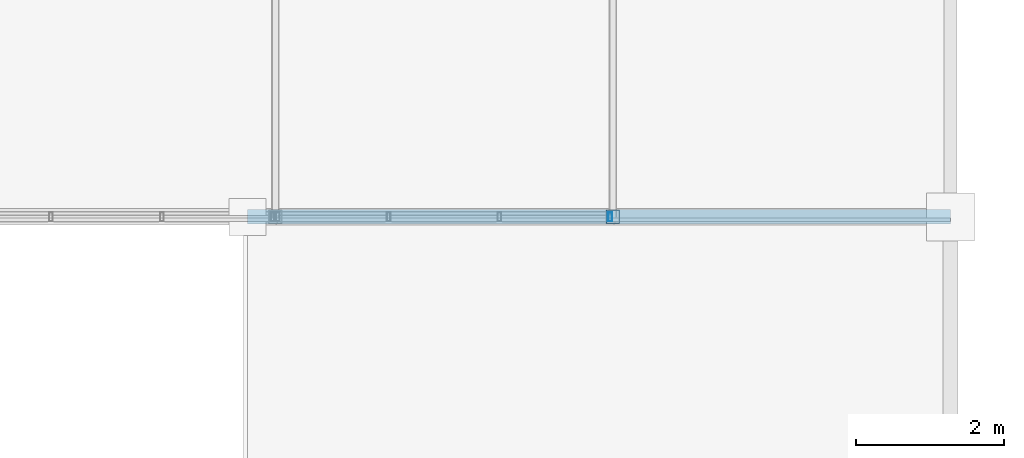
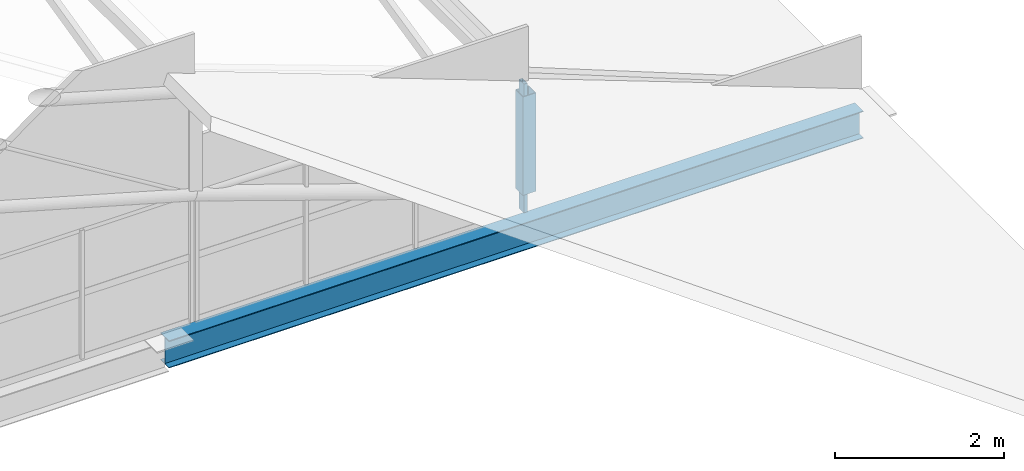
# One storey, part 66 of 101: 2 members, 1 beam, 1 element without a shape of its own.
"""IFC4 building model written with IfcOpenShell, lengths in metres."""

from ifc_helpers import new_model, si_unit, direction, frame, origin, origin_2d, place, context, subcontext, project, spatial, hollow_rectangle, i_section, extrude, material, material_profile, profile_set, type_object, element, aggregate, save


model = new_model("IFC4")

# Units and contexts
model_context = context("Model", 3, precision=1e-05, world=origin(), true_north=direction((0.0, 1.0)))
body_context = subcontext(model_context, "Body", "Model", "MODEL_VIEW")
ifc_project = project(units=[si_unit("LENGTHUNIT", "METRE"), si_unit("AREAUNIT", "SQUARE_METRE"), si_unit("VOLUMEUNIT", "CUBIC_METRE"), si_unit("PLANEANGLEUNIT", "RADIAN"), si_unit("MASSUNIT", "GRAM", prefix="KILO")], contexts=[model_context])

# Site, building, storey
site_placement = place(None, origin())
site = spatial("IfcSite", under=ifc_project, at=site_placement, CompositionType="ELEMENT")
building_placement = place(site_placement, origin())
building = spatial("IfcBuilding", under=site, at=building_placement, Name="Solvikara Media Centre", CompositionType="ELEMENT")
storey_placement = place(building_placement, frame((0.0, 0.0, 10.199951171875)))
storey = spatial("IfcBuildingStorey", under=building, at=storey_placement, Name="L02", CompositionType="ELEMENT", Elevation=10.199951171875)

# Beam
ifc_material_1 = material(Name="Steel S355JR", Category="steel")
ifc_material_profile_1 = material_profile(ifc_material_1, i_section(OverallWidth=0.198974609375, OverallDepth=0.39599609375, WebThickness=0.007080078125, FlangeThickness=0.010986328125, at=origin_2d()), Name="H 396x199x7x11")
ifc_profile_set_1 = profile_set([ifc_material_profile_1], Name="Steel S355JR")
beam_type = type_object("IfcBeamType", Name="BM-44", PredefinedType="BEAM", material=ifc_profile_set_1)
beam_placement = place(storey_placement, frame((154.5, 89.0, -0.2978515625), z_axis=(1.0, 0.0, 0.0), x_axis=(0.0, 1.0, 0.0)))
element("IfcBeam", 1, at=beam_placement, inside=storey, type_object=beam_type, Name="B-L02-X0896", PredefinedType="BEAM", context=body_context, shape_type="SweptSolid", body=[
    extrude(i_section(OverallWidth=0.198974609375, OverallDepth=0.39599609375, WebThickness=0.007080078125, FlangeThickness=0.010986328125, at=origin_2d()), origin(), (0.0, 0.0, 1.0), 9.5),
])

# Member
ifc_material_profile_2 = material_profile(ifc_material_1, hollow_rectangle(XDim=0.179931640625, YDim=0.179931640625, WallThickness=0.008056640625, at=origin_2d()), Name="RHS 180x180x8")
ifc_profile_set_2 = profile_set([ifc_material_profile_2], Name="Steel S355JR")
member_type_1 = type_object("IfcMemberType", Name="MB-14", PredefinedType="BRACE", material=ifc_profile_set_2)
member_1_placement = place(storey_placement, frame((159.43798828125, 89.0, 0.300048828125), z_axis=(0.0, 0.0, 1.0), x_axis=(1.0, 0.0, 0.0)))
element("IfcMember", 2, at=member_1_placement, inside=storey, type_object=member_type_1, Name="BSB-VT-00-07", PredefinedType="BRACE", context=body_context, shape_type="SweptSolid", body=[
    extrude(hollow_rectangle(XDim=0.179931640625, YDim=0.179931640625, WallThickness=0.008056640625, at=origin_2d()), origin(), (0.0, 0.0, 1.0), 1.424072265625),
])

# Curtain wall, member
ifc_material_2 = material(Name="Anodised aluminium EN AW-6063", Category="aluminium")
curtain_wall_type = type_object("IfcCurtainWallType", Name="CW-12", PredefinedType="NOTDEFINED", material=ifc_material_2)
curtain_wall_placement = place(storey_placement, origin())
curtain_wall = element("IfcCurtainWall", 3, at=curtain_wall_placement, inside=storey, type_object=curtain_wall_type, Name="CW-BSBS-CLR-06", PredefinedType="NOTDEFINED")
ifc_material_profile_3 = material_profile(ifc_material_2, hollow_rectangle(XDim=0.050048828125, YDim=0.1201171875, WallThickness=0.0029296875, at=origin_2d()), Name="ALU-M 50x120x3")
ifc_profile_set_3 = profile_set([ifc_material_profile_3], Name="Anodised aluminium EN AW-6063")
member_type_2 = type_object("IfcMemberType", Name="MF-06", PredefinedType="MULLION", material=ifc_profile_set_3)
member_2_placement = place(storey_placement, frame((159.403076171875, 89.0, 0.02001953125), z_axis=(0.0, 0.0, 1.0), x_axis=(1.0, 0.0, 0.0)))
member_2 = element("IfcMember", 4, at=member_2_placement, type_object=member_type_2, Name="CW-BSBS-CLR-06-M03", PredefinedType="MULLION", context=body_context, shape_type="SweptSolid", body=[
    extrude(hollow_rectangle(XDim=0.050048828125, YDim=0.1201171875, WallThickness=0.0029296875, at=origin_2d()), origin(), (0.0, 0.0, 1.0), 1.860107421875),
])
aggregate(curtain_wall, [member_2])

save(model, "model.ifc")
